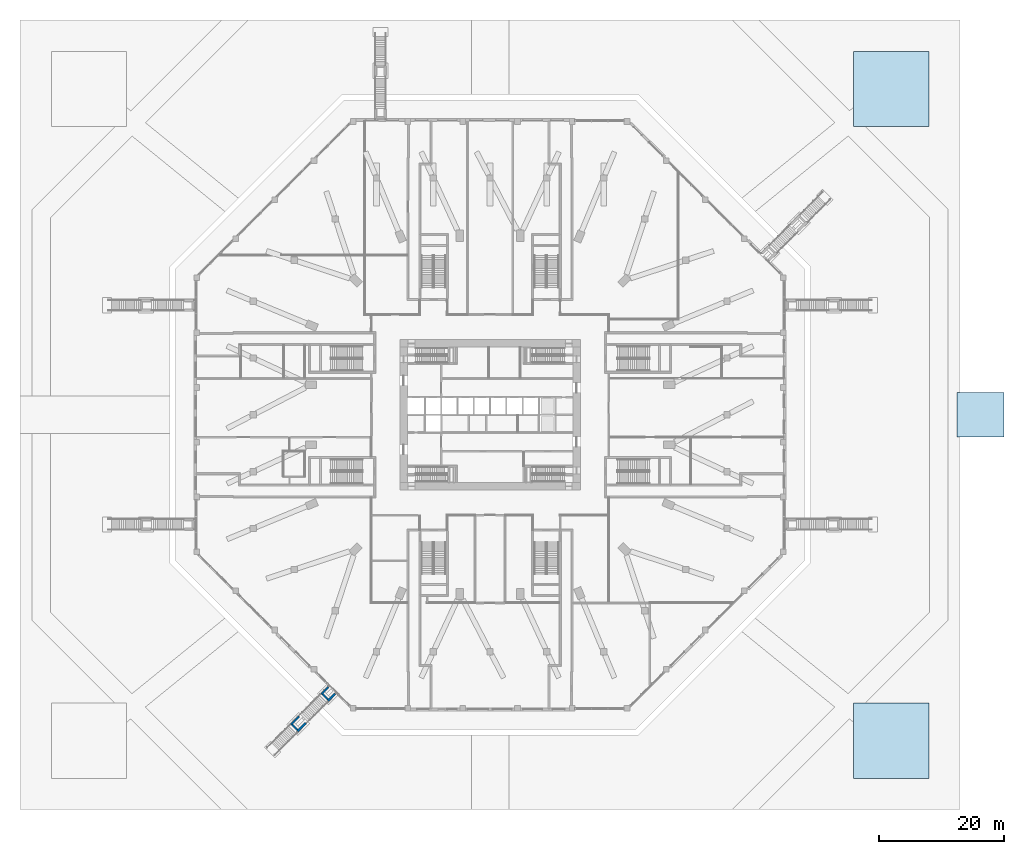
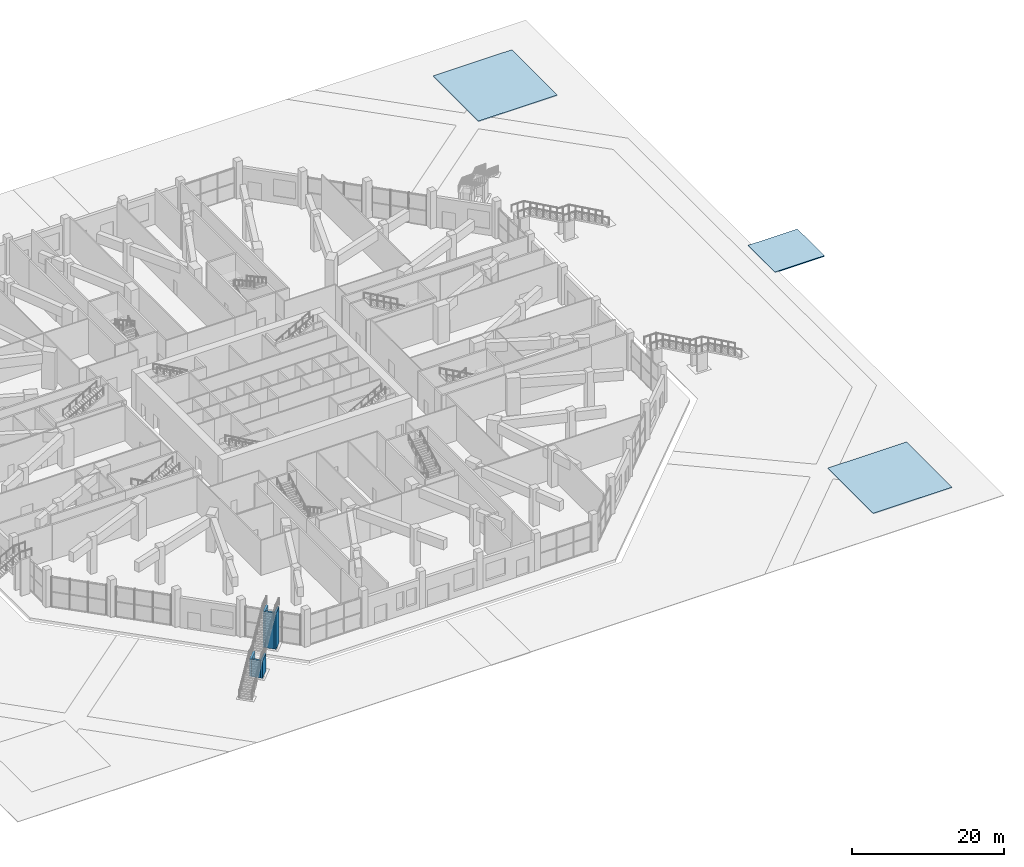
# One storey, part 19 of 36: 6 walls, 3 slabs.
"""IFC4 building model written with IfcOpenShell, lengths in metres."""

from ifc_helpers import new_model, si_unit, direction, frame, frame_2d, origin, place, context, subcontext, project, spatial, polyline, rectangle, outline, extrude, material, layer, layer_set, type_object, element, save


model = new_model("IFC4")

# Units and contexts
model_context = context("Model", 3, precision=1e-05, world=origin(), true_north=direction((0.0, 1.0)))
body_context = subcontext(model_context, "Body", "Model", "MODEL_VIEW")
ifc_project = project(units=[si_unit("LENGTHUNIT", "METRE"), si_unit("AREAUNIT", "SQUARE_METRE"), si_unit("VOLUMEUNIT", "CUBIC_METRE"), si_unit("PLANEANGLEUNIT", "RADIAN"), si_unit("MASSUNIT", "GRAM", prefix="KILO")], contexts=[model_context])

# Site, building, storey
site_placement = place(None, origin())
site = spatial("IfcSite", under=ifc_project, at=site_placement, CompositionType="ELEMENT")
building_placement = place(site_placement, origin())
building = spatial("IfcBuilding", under=site, at=building_placement, Name="Msitu Wima Residences", CompositionType="ELEMENT")
storey_placement = place(building_placement, origin())
storey = spatial("IfcBuildingStorey", under=building, at=storey_placement, Name="L00", CompositionType="ELEMENT", Elevation=0.0)

# Slabs
ifc_material_1 = material(Name="Asphalt wearing course")
ifc_layer_1 = layer(ifc_material_1, 0.050048828125, Name="Asphalt wearing course")
ifc_material_2 = material(Name="Crushed stone base", Category="masonry")
ifc_layer_2 = layer(ifc_material_2, 0.10009765625, Name="Crushed stone base")
ifc_layer_set_1 = layer_set([ifc_layer_1, ifc_layer_2], Name="Crushed stone base")
slab_type_1 = type_object("IfcSlabType", Name="Driveway paving slab DW150", PredefinedType="USERDEFINED", material=ifc_layer_set_1)
slab_1_placement = place(storey_placement, frame((0.0, 0.0, -0.14990234375)))
element("IfcSlab", 1, at=slab_1_placement, inside=storey, type_object=slab_type_1, Name="Entry driveway apron VG1", ObjectType="PAVING", PredefinedType="USERDEFINED", context=body_context, shape_type="SweptSolid", body=[
    extrude(outline(polyline([(74.5, -3.550048828125), (74.5, 3.550048828125), (75.0, 3.550048828125), (82.0, 3.550048828125), (82.0, -3.550048828125), (75.0, -3.550048828125), (74.5, -3.550048828125)])), origin(), (0.0, 0.0, 1.0), 0.14990234375),
])
ifc_material_3 = material(Name="Clay pavers")
ifc_layer_3 = layer(ifc_material_3, 0.0400390625, Name="Clay pavers")
ifc_material_4 = material(Name="Concrete C30/37", Category="concrete")
ifc_layer_4 = layer(ifc_material_4, 0.110107421875, Name="Concrete C30/37")
ifc_layer_set_2 = layer_set([ifc_layer_3, ifc_layer_4], Name="Concrete C30/37")
slab_type_2 = type_object("IfcSlabType", Name="Garden paving slab PG150", PredefinedType="USERDEFINED", material=ifc_layer_set_2)
slab_2_placement = place(storey_placement, frame((0.0, 0.0, -0.14990234375)))
element("IfcSlab", 2, at=slab_2_placement, inside=storey, type_object=slab_type_2, Name="Garden plaza NE paving", ObjectType="PAVING", PredefinedType="USERDEFINED", context=body_context, shape_type="SweptSolid", body=[
    extrude(outline(polyline([(58.0, 46.0), (70.0, 46.0), (70.0, 58.0), (58.0, 58.0), (58.0, 46.0)])), origin(), (0.0, 0.0, 1.0), 0.14990234375),
])
slab_3_placement = place(storey_placement, frame((0.0, 0.0, -0.14990234375)))
element("IfcSlab", 3, at=slab_3_placement, inside=storey, type_object=slab_type_2, Name="Garden plaza SE paving", ObjectType="PAVING", PredefinedType="USERDEFINED", context=body_context, shape_type="SweptSolid", body=[
    extrude(outline(polyline([(58.0, -58.0), (70.0, -58.0), (70.0, -46.0), (58.0, -46.0), (58.0, -58.0)])), origin(), (0.0, 0.0, 1.0), 0.14990234375),
])

# Walls
ifc_material_5 = material(Name="Facing brick")
ifc_layer_5 = layer(ifc_material_5, 0.06494140625, Name="Facing brick")
ifc_material_6 = material(Name="Concrete C40/50", Category="concrete")
ifc_layer_6 = layer(ifc_material_6, 0.235107421875, Name="Concrete C40/50")
ifc_layer_set_3 = layer_set([ifc_layer_5, ifc_layer_6], Name="Concrete C40/50")
wall_type = type_object("IfcWallType", Name="Stair support wall SW300", PredefinedType="SOLIDWALL", material=ifc_layer_set_3)
for number, where, z_axis, x_axis, name in (
    (4, (-25.787109375, -43.4345703125, 0.0), (0.0, 0.0, 1.0), (-0.707106781187, -0.707106781187, 0.0), "Stair support wall SW4"),
    (5, (-24.726318359375, -44.4951171875, 0.0), (0.0, 0.0, 1.0), (-0.707106781187, -0.707106781187, 0.0), "Stair support wall SW4"),
):
    element("IfcWall", number, at=place(storey_placement, frame(where, z_axis=z_axis, x_axis=x_axis)), inside=storey, type_object=wall_type, Name=name, PredefinedType="SOLIDWALL", context=body_context, shape_type="SweptSolid", body=[
        extrude(rectangle(XDim=1.599853515625, YDim=0.300048828125, at=frame_2d((0.7998046875, 0.0))), origin(), (0.0, 0.0, 1.0), 5.800048828125),
    ])
wall_1_placement = place(storey_placement, frame((-26.706298828125, -44.56591796875, 0.0), z_axis=(0.0, 0.0, 1.0), x_axis=(0.707208501214, -0.707005046524, 0.0)))
element("IfcWall", 6, at=wall_1_placement, inside=storey, type_object=wall_type, Name="Stair support wall SW4", PredefinedType="SOLIDWALL", context=body_context, shape_type="SweptSolid", body=[
    extrude(rectangle(XDim=1.199951171875, YDim=0.300048828125, at=frame_2d((0.60009765625, 0.0))), origin(), (0.0, 0.0, 1.0), 5.800048828125),
])
for number, where, z_axis, x_axis, name in (
    (7, (-30.447265625, -48.0947265625, 0.0), (0.0, 0.0, 1.0), (-0.707106781187, -0.707106781187, 0.0), "Stair support wall SW4"),
    (8, (-29.38671875, -49.155517578125, 0.0), (0.0, 0.0, 1.0), (-0.707106781187, -0.707106781187, 0.0), "Stair support wall SW4"),
):
    element("IfcWall", number, at=place(storey_placement, frame(where, z_axis=z_axis, x_axis=x_axis)), inside=storey, type_object=wall_type, Name=name, PredefinedType="SOLIDWALL", context=body_context, shape_type="SweptSolid", body=[
        extrude(rectangle(XDim=1.909423828125, YDim=0.300048828125, at=frame_2d((0.95458984375, 0.0))), origin(), (0.0, 0.0, 1.0), 2.800048828125),
    ])
wall_2_placement = place(storey_placement, frame((-31.585205078125, -49.44482421875, 0.0), z_axis=(0.0, 0.0, 1.0), x_axis=(0.707005046524, -0.707208501214, 0.0)))
element("IfcWall", 9, at=wall_2_placement, inside=storey, type_object=wall_type, Name="Stair support wall SW4", PredefinedType="SOLIDWALL", context=body_context, shape_type="SweptSolid", body=[
    extrude(rectangle(XDim=1.199951171875, YDim=0.300048828125, at=frame_2d((0.60009765625, 0.0))), origin(), (0.0, 0.0, 1.0), 2.800048828125),
])

save(model, "model.ifc")
